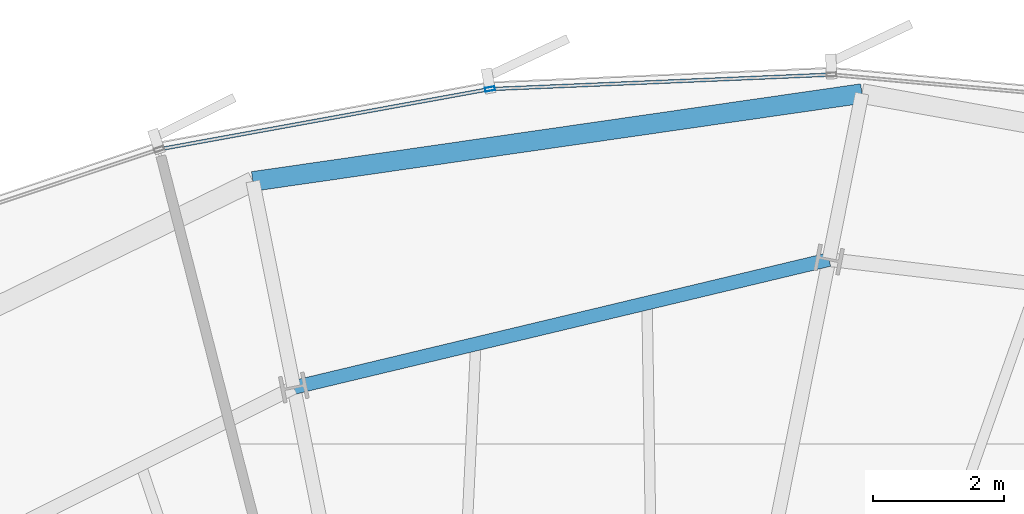
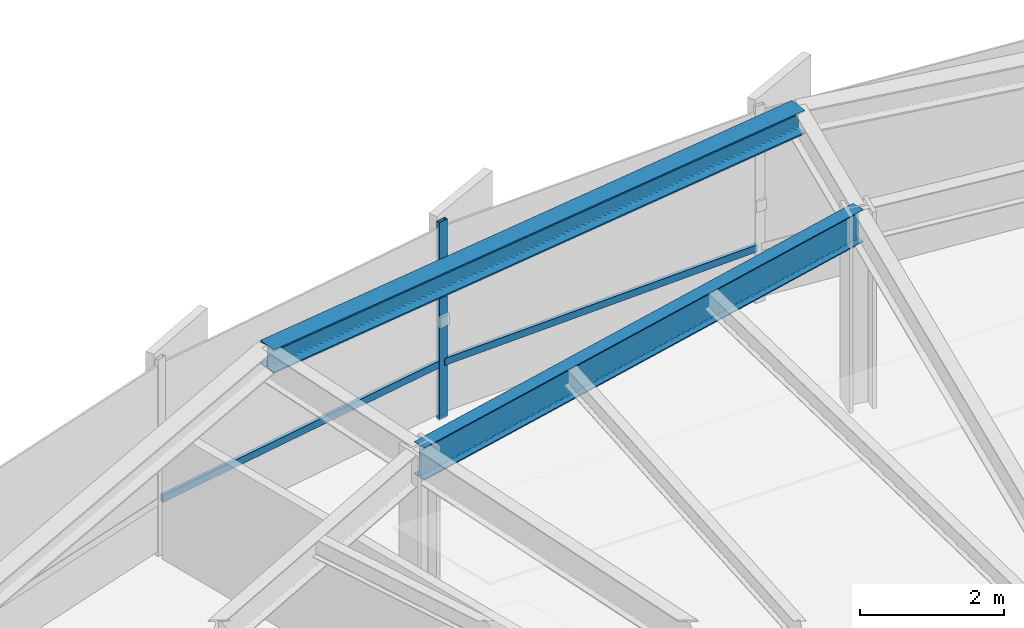
# One storey, part 21 of 35: 3 members, 2 beams, 1 element without a shape of its own.
"""IFC4 building model written with IfcOpenShell, lengths in metres."""

from ifc_helpers import new_model, si_unit, direction, frame, origin, origin_2d, place, context, subcontext, project, spatial, hollow_rectangle, i_section, extrude, source, transform, mapped, material, layer, layer_set, material_profile, profile_set, type_object, element, aggregate, save


model = new_model("IFC4")

# Units and contexts
model_context = context("Model", 3, precision=1e-05, world=origin(), true_north=direction((0.0, 1.0)))
body_context = subcontext(model_context, "Body", "Model", "MODEL_VIEW")
ifc_project = project(units=[si_unit("LENGTHUNIT", "METRE"), si_unit("AREAUNIT", "SQUARE_METRE"), si_unit("VOLUMEUNIT", "CUBIC_METRE"), si_unit("PLANEANGLEUNIT", "RADIAN"), si_unit("MASSUNIT", "GRAM", prefix="KILO"), si_unit("THERMODYNAMICTEMPERATUREUNIT", "KELVIN")], contexts=[model_context])

# Site, building, storey
site_placement = place(None, origin())
site = spatial("IfcSite", under=ifc_project, at=site_placement, CompositionType="ELEMENT")
building_placement = place(site_placement, origin())
building = spatial("IfcBuilding", under=site, at=building_placement, Name="Kethvar Cultural Tower", CompositionType="ELEMENT")
storey_placement = place(building_placement, frame((0.0, 0.0, 92.800048828125)))
storey = spatial("IfcBuildingStorey", under=building, at=storey_placement, Name="L22", CompositionType="ELEMENT", Elevation=92.800048828125)

# Beams
ifc_material_1 = material(Name="Steel S355J2", Category="steel")
ifc_material_profile_1 = material_profile(ifc_material_1, i_section(OverallWidth=0.2099609375, OverallDepth=0.550048828125, WebThickness=0.010986328125, FlangeThickness=0.01708984375, FilletRadius=0.02392578125, at=origin_2d()), Name="Steel S355J2 — IPE550")
ifc_profile_set_1 = profile_set([ifc_material_profile_1], Name="Steel S355J2 — IPE550")
beam_type_1 = type_object("IfcBeamType", Name="BM-IPE550", PredefinedType="BEAM", material=ifc_profile_set_1)
shared_shape_1 = source(origin(), body_context, "Body", "SweptSolid", [
    extrude(i_section(OverallWidth=0.2099609375, OverallDepth=0.550048828125, WebThickness=0.010986328125, FlangeThickness=0.01708984375, FilletRadius=0.02392578125, at=origin_2d()), origin(), (0.0, 0.0, 1.0), 8.379150390625),
])
beam_1_placement = place(storey_placement, frame((51.068603515625, 49.25927734375, 3.072998046875), z_axis=(-0.972601380857, -0.232479147355, 0.0), x_axis=(0.232479147355, -0.972601380857, 0.0)))
element("IfcBeam", 1, at=beam_1_placement, inside=storey, type_object=beam_type_1, Name="L22 Column Ring Tie Beam CR-04", PredefinedType="BEAM", context=body_context, shape_type="MappedRepresentation", body=[
    mapped(shared_shape_1, transform((0.0, 0.0, 0.0), scale=1.0)),
])
ifc_material_profile_2 = material_profile(ifc_material_1, i_section(OverallWidth=0.300048828125, OverallDepth=0.39990234375, WebThickness=0.013427734375, FlangeThickness=0.02392578125, FilletRadius=0.027099609375, at=origin_2d()), Name="Steel S355J2 — HEB400")
ifc_profile_set_2 = profile_set([ifc_material_profile_2], Name="Steel S355J2 — HEB400")
beam_type_2 = type_object("IfcBeamType", Name="BM-SP400", PredefinedType="SPANDREL", material=ifc_profile_set_2)
shared_shape_2 = source(origin(), body_context, "Body", "SweptSolid", [
    extrude(i_section(OverallWidth=0.300048828125, OverallDepth=0.39990234375, WebThickness=0.013427734375, FlangeThickness=0.02392578125, FilletRadius=0.027099609375, at=origin_2d()), origin(), (0.0, 0.0, 1.0), 9.37255859375),
])
beam_2_placement = place(storey_placement, frame((51.5712890625, 51.787353515625, 3.14794921875), z_axis=(-0.989763177366, -0.142719489665, 0.0), x_axis=(0.142719489665, -0.989763177366, 0.0)))
element("IfcBeam", 2, at=beam_2_placement, inside=storey, type_object=beam_type_2, Name="L22 Perimeter Spandrel Beam SP-04", PredefinedType="SPANDREL", context=body_context, shape_type="MappedRepresentation", body=[
    mapped(shared_shape_2, transform((0.0, 0.0, 0.0), scale=1.0)),
])

# Curtain wall, members
ifc_material_2 = material(Name="Aluminium 6063-T6", Category="aluminium")
ifc_layer = layer(ifc_material_2, 0.179931640625, Name="Aluminium 6063-T6", Category="aluminium")
ifc_layer_set = layer_set([ifc_layer], Name="Aluminium 6063-T6 (180 mm)")
curtain_wall_type = type_object("IfcCurtainWallType", Name="CW-SYS-03-Z2", PredefinedType="NOTDEFINED", material=ifc_layer_set)
curtain_wall_placement = place(storey_placement, origin())
curtain_wall = element("IfcCurtainWall", 3, at=curtain_wall_placement, inside=storey, type_object=curtain_wall_type, Name="L22 Curtain Wall Run 02", PredefinedType="NOTDEFINED")
ifc_material_profile_3 = material_profile(ifc_material_2, hollow_rectangle(XDim=0.06005859375, YDim=0.14990234375, WallThickness=0.0048828125, at=origin_2d()), Name="Aluminium 6063-T6 — RHS150x60x5")
ifc_profile_set_3 = profile_set([ifc_material_profile_3], Name="Aluminium 6063-T6 — RHS150x60x5")
member_type_1 = type_object("IfcMemberType", Name="CW-SYS-03-Z2-MUL", PredefinedType="MULLION", material=ifc_profile_set_3)
shared_shape_3 = source(origin(), body_context, "Body", "SweptSolid", [
    extrude(hollow_rectangle(XDim=0.06005859375, YDim=0.14990234375, WallThickness=0.0048828125, at=origin_2d()), origin(), (0.0, 0.0, 1.0), 3.349853515625),
])
member_1_placement = place(storey_placement, frame((45.905517578125, 51.856201171875, 0.0), z_axis=(0.0, 0.0, 1.0), x_axis=(0.179317351584, -0.983791282448, 0.0)))
member_1 = element("IfcMember", 4, at=member_1_placement, type_object=member_type_1, Name="CW-L22-R02 Mullion 3", PredefinedType="MULLION", context=body_context, shape_type="MappedRepresentation", body=[
    mapped(shared_shape_3, transform((0.0, 0.0, 0.0), scale=1.0)),
])
ifc_material_profile_4 = material_profile(ifc_material_2, hollow_rectangle(XDim=0.054931640625, YDim=0.1201171875, WallThickness=0.00390625, at=origin_2d()), Name="Aluminium 6063-T6 — RHS120x55x4")
ifc_profile_set_4 = profile_set([ifc_material_profile_4], Name="Aluminium 6063-T6 — RHS120x55x4")
member_type_2 = type_object("IfcMemberType", Name="CW-SYS-03-Z2-TRN", PredefinedType="USERDEFINED", material=ifc_profile_set_4)
shared_shape_4 = source(origin(), body_context, "Body", "SweptSolid", [
    extrude(hollow_rectangle(XDim=0.054931640625, YDim=0.1201171875, WallThickness=0.00390625, at=origin_2d()), origin(), (0.0, 0.0, 1.0), 5.135498046875),
])
member_2_placement = place(storey_placement, frame((51.06396484375, 52.073974609375, 0.949951171875), z_axis=(-0.999100474876, -0.042405672992, 0.0), x_axis=(0.042405672992, -0.999100474876, 0.0)))
member_2 = element("IfcMember", 5, at=member_2_placement, type_object=member_type_2, Name="CW-L22-R02 Transom 2", ObjectType="TRANSOM", PredefinedType="USERDEFINED", context=body_context, shape_type="MappedRepresentation", body=[
    mapped(shared_shape_4, transform((0.0, 0.0, 0.0), scale=1.0)),
])
shared_shape_5 = source(origin(), body_context, "Body", "SweptSolid", [
    extrude(hollow_rectangle(XDim=0.054931640625, YDim=0.1201171875, WallThickness=0.00390625, at=origin_2d()), origin(), (0.0, 0.0, 1.0), 5.05078125),
])
member_3_placement = place(storey_placement, frame((45.863037109375, 51.848388671875, 0.949951171875), z_axis=(-0.983789378991, -0.179327794235, 0.0), x_axis=(0.179327794235, -0.983789378991, 0.0)))
member_3 = element("IfcMember", 6, at=member_3_placement, type_object=member_type_2, Name="CW-L22-R02 Transom 3", ObjectType="TRANSOM", PredefinedType="USERDEFINED", context=body_context, shape_type="MappedRepresentation", body=[
    mapped(shared_shape_5, transform((0.0, 0.0, 0.0), scale=1.0)),
])
aggregate(curtain_wall, [member_1, member_2, member_3])

save(model, "model.ifc")
